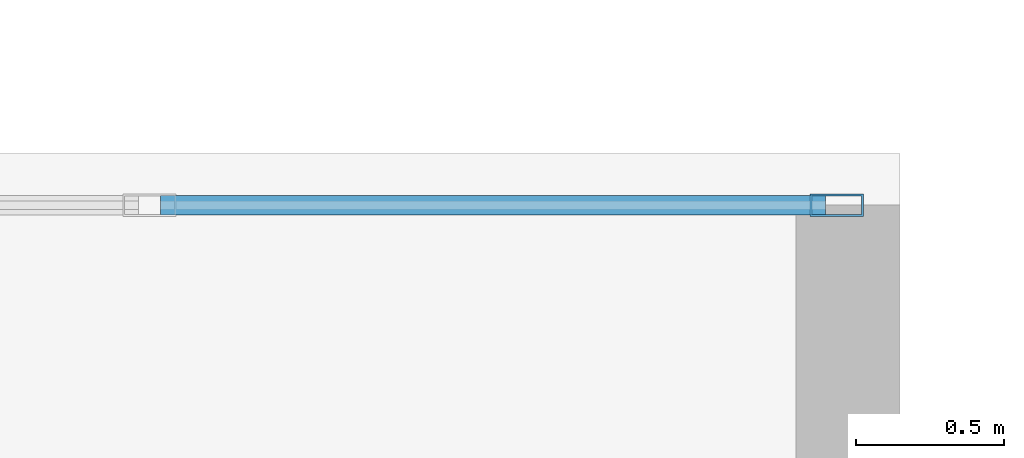
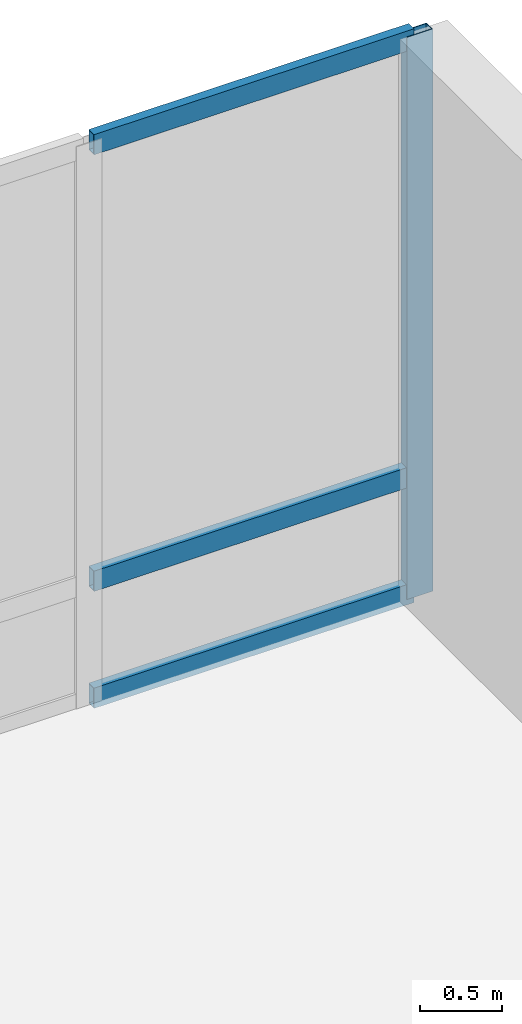
# One storey, part 4 of 16: 4 members, 1 element without a shape of its own.
"""IFC4 building model written with IfcOpenShell, lengths in metres."""

from ifc_helpers import new_model, si_unit, direction, frame, origin, origin_2d, place, context, subcontext, project, spatial, hollow_rectangle, extrude, material, layer, layer_set, material_profile, profile_set, type_object, element, aggregate, save


model = new_model("IFC4")

# Units and contexts
model_context = context("Model", 3, precision=1e-05, world=origin(), true_north=direction((0.0, 1.0)))
body_context = subcontext(model_context, "Body", "Model", "MODEL_VIEW")
ifc_project = project(units=[si_unit("LENGTHUNIT", "METRE"), si_unit("AREAUNIT", "SQUARE_METRE"), si_unit("VOLUMEUNIT", "CUBIC_METRE"), si_unit("PLANEANGLEUNIT", "RADIAN"), si_unit("MASSUNIT", "GRAM", prefix="KILO")], contexts=[model_context])

# Site, building, storey
site_placement = place(None, origin())
site = spatial("IfcSite", under=ifc_project, at=site_placement, CompositionType="ELEMENT")
building_placement = place(site_placement, origin())
building = spatial("IfcBuilding", under=site, at=building_placement, Name="Koriwani Terraces Tower", CompositionType="ELEMENT")
storey_placement = place(building_placement, frame((0.0, 0.0, 286.0)))
storey = spatial("IfcBuildingStorey", under=building, at=storey_placement, Name="L71", CompositionType="ELEMENT", Elevation=286.0)

# Curtain wall, members
ifc_material = material(Name="Anodised Bronze Aluminium", Category="aluminium")
ifc_layer = layer(ifc_material, 0.18994140625, Name="Anodised Bronze Aluminium")
ifc_layer_set = layer_set([ifc_layer], Name="Anodised Bronze Aluminium")
curtain_wall_type = type_object("IfcCurtainWallType", Name="CW_PENTHOUSE_ZONE5", PredefinedType="NOTDEFINED", material=ifc_layer_set)
curtain_wall_placement = place(storey_placement, origin())
curtain_wall = element("IfcCurtainWall", 1, at=curtain_wall_placement, inside=storey, type_object=curtain_wall_type, Name="L71 Unitised Curtain Wall (N_TIP) Bay 3", PredefinedType="NOTDEFINED")
ifc_material_profile_1 = material_profile(ifc_material, hollow_rectangle(XDim=0.074951171875, YDim=0.179931640625, WallThickness=0.006103515625, at=origin_2d()), Name="Anodised Bronze Aluminium", Category="LoadBearing")
ifc_profile_set_1 = profile_set([ifc_material_profile_1], Name="Anodised Bronze Aluminium")
member_type_1 = type_object("IfcMemberType", Name="CW_MULLION_180X75", PredefinedType="MULLION", material=ifc_profile_set_1)
member_1_placement = place(storey_placement, frame((30.387451171875, 75.425048828125, 0.0), z_axis=(0.0, 0.0, 1.0), x_axis=(0.0, 1.0, 0.0)))
member_1 = element("IfcMember", 2, at=member_1_placement, type_object=member_type_1, Name="CW-Z5 mullion 3", PredefinedType="MULLION", context=body_context, shape_type="SweptSolid", body=[
    extrude(hollow_rectangle(XDim=0.074951171875, YDim=0.179931640625, WallThickness=0.006103515625, at=origin_2d()), origin(), (0.0, 0.0, 1.0), 4.169921875),
])
ifc_material_profile_2 = material_profile(ifc_material, hollow_rectangle(XDim=0.06494140625, YDim=0.14990234375, WallThickness=0.0048828125, at=origin_2d()), Name="Anodised Bronze Aluminium", Category="LoadBearing")
ifc_profile_set_2 = profile_set([ifc_material_profile_2], Name="Anodised Bronze Aluminium")
member_type_2 = type_object("IfcMemberType", Name="CW_TRANSOM_150X65", PredefinedType="USERDEFINED", material=ifc_profile_set_2)
member_2_placement = place(storey_placement, frame((28.10498046875, 75.425048828125, 0.032470703125), z_axis=(1.0, 0.0, 0.0), x_axis=(0.0, 1.0, 0.0)))
member_2 = element("IfcMember", 3, at=member_2_placement, type_object=member_type_2, Name="CW-Z5 transom 2.1", ObjectType="TRANSOM", PredefinedType="USERDEFINED", context=body_context, shape_type="SweptSolid", body=[
    extrude(hollow_rectangle(XDim=0.06494140625, YDim=0.14990234375, WallThickness=0.0048828125, at=origin_2d()), origin(), (0.0, 0.0, 1.0), 2.2451171875),
])
member_3_placement = place(storey_placement, frame((28.10498046875, 75.425048828125, 0.89990234375), z_axis=(1.0, 0.0, 0.0), x_axis=(0.0, 1.0, 0.0)))
member_3 = element("IfcMember", 4, at=member_3_placement, type_object=member_type_2, Name="CW-Z5 transom 2.2", ObjectType="TRANSOM", PredefinedType="USERDEFINED", context=body_context, shape_type="SweptSolid", body=[
    extrude(hollow_rectangle(XDim=0.06494140625, YDim=0.14990234375, WallThickness=0.0048828125, at=origin_2d()), origin(), (0.0, 0.0, 1.0), 2.2451171875),
])
member_4_placement = place(storey_placement, frame((28.10498046875, 75.425048828125, 4.137451171875), z_axis=(1.0, 0.0, 0.0), x_axis=(0.0, 1.0, 0.0)))
member_4 = element("IfcMember", 5, at=member_4_placement, type_object=member_type_2, Name="CW-Z5 transom 2.3", ObjectType="TRANSOM", PredefinedType="USERDEFINED", context=body_context, shape_type="SweptSolid", body=[
    extrude(hollow_rectangle(XDim=0.06494140625, YDim=0.14990234375, WallThickness=0.0048828125, at=origin_2d()), origin(), (0.0, 0.0, 1.0), 2.2451171875),
])
aggregate(curtain_wall, [member_1, member_2, member_3, member_4])

save(model, "model.ifc")
